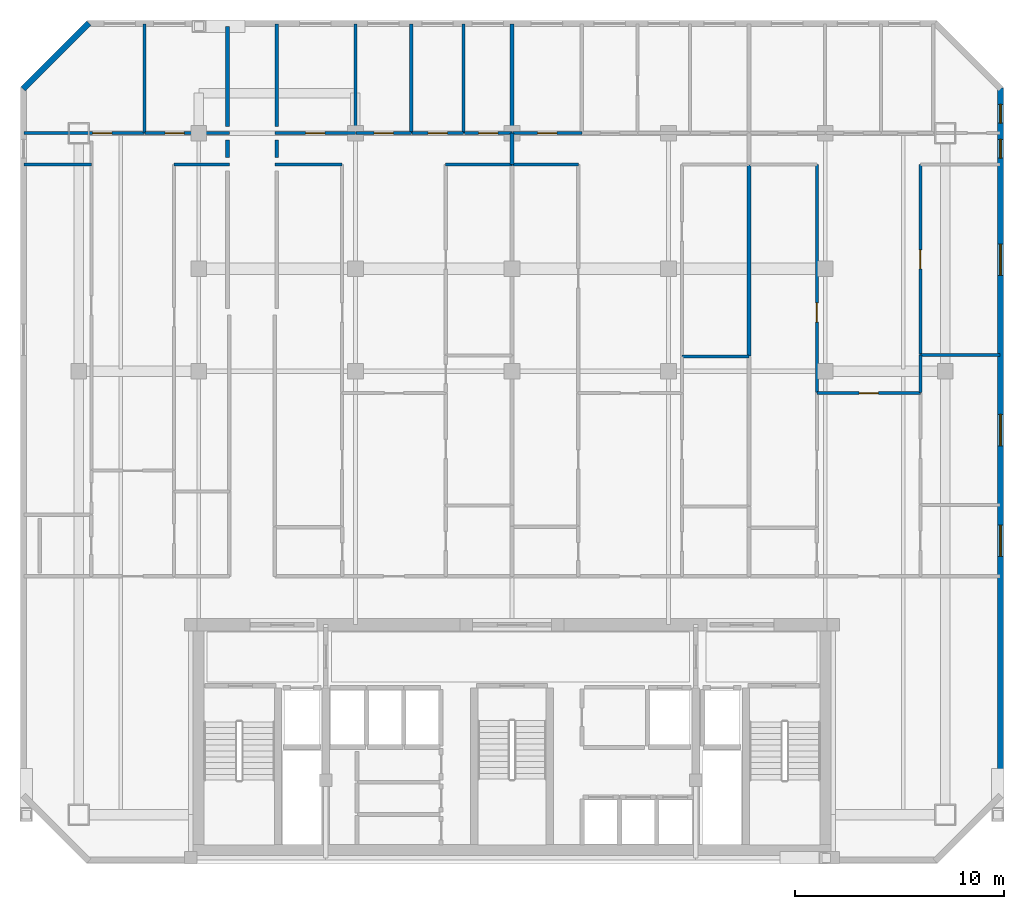
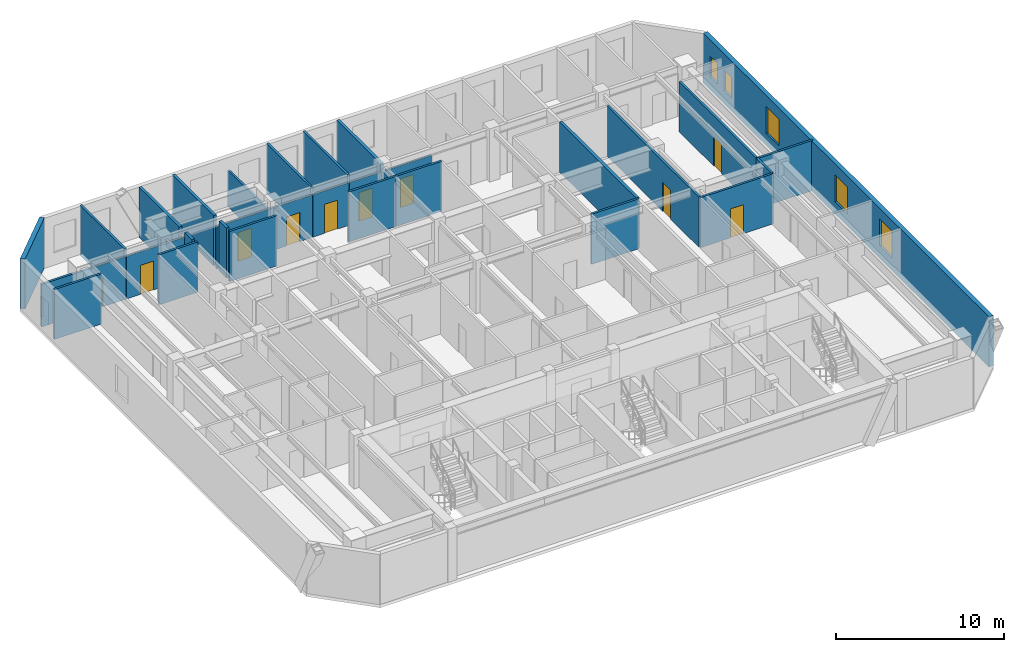
# One storey, part 6 of 9: 31 walls, 10 doors, 5 windows, 15 openings.
"""IFC4 building model written with IfcOpenShell, lengths in metres."""

from ifc_helpers import new_model, si_unit, direction, frame, frame_2d, origin, place, context, subcontext, project, spatial, rectangle, extrude, material, layer, layer_set, type_object, element, fill, save


model = new_model("IFC4")

# Units and contexts
model_context = context("Model", 3, precision=1e-05, world=origin(), true_north=direction((0.0, 1.0)))
body_context = subcontext(model_context, "Body", "Model", "MODEL_VIEW")
ifc_project = project(units=[si_unit("LENGTHUNIT", "METRE"), si_unit("AREAUNIT", "SQUARE_METRE"), si_unit("VOLUMEUNIT", "CUBIC_METRE"), si_unit("PLANEANGLEUNIT", "RADIAN"), si_unit("MASSUNIT", "GRAM", prefix="KILO")], contexts=[model_context])

# Site, building, storey
site_placement = place(None, origin())
site = spatial("IfcSite", under=ifc_project, at=site_placement, CompositionType="ELEMENT")
building_placement = place(site_placement, origin())
building = spatial("IfcBuilding", under=site, at=building_placement, Name="Ventersveld Concourse Tower", CompositionType="ELEMENT")
storey_placement = place(building_placement, frame((0.0, 0.0, 215.699951171875)))
storey = spatial("IfcBuildingStorey", under=building, at=storey_placement, Name="L53", CompositionType="ELEMENT", Elevation=215.699951171875)

# Walls
ifc_material_1 = material(Name="Fire-rated autoclaved aerated masonry blockwork", Category="masonry")
ifc_layer_1 = layer(ifc_material_1, 0.179931640625)
ifc_layer_set_1 = layer_set([ifc_layer_1], Name="Fire-rated autoclaved aerated masonry blockwork")
wall_type_1 = type_object("IfcWallType", Name="WL-CORR-180", PredefinedType="PARTITIONING", material=ifc_layer_set_1)
wall_1_placement = place(storey_placement, frame((15.1201171875, 34.675048828125, 0.0), z_axis=(0.0, 0.0, 1.0), x_axis=(0.0, -1.0, 0.0)))
element("IfcWall", 1, at=wall_1_placement, inside=storey, type_object=wall_type_1, Name="L53 Room Enclosure Wall SP-L53-53NW-LIV", PredefinedType="PARTITIONING", context=body_context, shape_type="SweptSolid", body=[
    extrude(rectangle(XDim=0.85009765625, YDim=0.179931640625, at=frame_2d((0.425048828125, 0.0))), origin(), (0.0, 0.0, 1.0), 3.630126953125),
])
wall_2_placement = place(storey_placement, frame((15.1201171875, 40.10205078125, 0.0), z_axis=(0.0, 0.0, 1.0), x_axis=(0.0, -1.0, 0.0)))
element("IfcWall", 2, at=wall_2_placement, inside=storey, type_object=wall_type_1, Name="L53 Room Enclosure Wall SP-L53-53NW-BR2", PredefinedType="PARTITIONING", context=body_context, shape_type="SweptSolid", body=[
    extrude(rectangle(XDim=4.777099609375, YDim=0.179931640625, at=frame_2d((2.388671875, 0.0))), origin(), (0.0, 0.0, 1.0), 3.630126953125),
])
wall_3_placement = place(storey_placement, frame((17.47998046875, 33.824951171875, 0.0), z_axis=(0.0, 0.0, 1.0), x_axis=(0.0, 1.0, 0.0)))
element("IfcWall", 3, at=wall_3_placement, inside=storey, type_object=wall_type_1, Name="L53 Room Enclosure Wall SP-L53-53N1-LIV", PredefinedType="PARTITIONING", context=body_context, shape_type="SweptSolid", body=[
    extrude(rectangle(XDim=0.85009765625, YDim=0.179931640625, at=frame_2d((0.425048828125, 0.0))), origin(), (0.0, 0.0, 1.0), 3.630126953125),
])
wall_4_placement = place(storey_placement, frame((17.47998046875, 35.324951171875, 0.0), z_axis=(0.0, 0.0, 1.0), x_axis=(0.0, 1.0, 0.0)))
element("IfcWall", 4, at=wall_4_placement, inside=storey, type_object=wall_type_1, Name="L53 Room Enclosure Wall SP-L53-53N1-BR1", PredefinedType="PARTITIONING", context=body_context, shape_type="SweptSolid", body=[
    extrude(rectangle(XDim=4.902587890625, YDim=0.179931640625, at=frame_2d((2.451171875, 0.0))), origin(), (0.0, 0.0, 1.0), 3.630126953125),
])
ifc_layer_2 = layer(ifc_material_1, 0.199951171875)
ifc_layer_set_2 = layer_set([ifc_layer_2], Name="Fire-rated autoclaved aerated masonry blockwork")
wall_type_2 = type_object("IfcWallType", Name="WL-DEMISE-200", PredefinedType="PARTITIONING", material=ifc_layer_set_2)
wall_5_placement = place(storey_placement, frame((28.75, 33.4951171875, 0.0), z_axis=(0.0, 0.0, 1.0), x_axis=(0.0, 1.0, 0.0)))
element("IfcWall", 5, at=wall_5_placement, inside=storey, type_object=wall_type_2, Name="L53 Interior Partition SP-L53-53N1-LIV-SP-L53-53N2-LIV", PredefinedType="PARTITIONING", context=body_context, shape_type="SweptSolid", body=[
    extrude(rectangle(XDim=1.509765625, YDim=0.199951171875, at=frame_2d((0.7548828125, 0.0))), origin(), (0.0, 0.0, 1.0), 3.2236328125),
])
wall_6_placement = place(storey_placement, frame((28.75, 35.034912109375, 0.0), z_axis=(0.0, 0.0, 1.0), x_axis=(0.0, 1.0, 0.0)))
element("IfcWall", 6, at=wall_6_placement, inside=storey, type_object=wall_type_2, Name="L53 Interior Partition SP-L53-53N1-BR4-SP-L53-53N2-BR1", PredefinedType="PARTITIONING", context=body_context, shape_type="SweptSolid", body=[
    extrude(rectangle(XDim=5.192626953125, YDim=0.199951171875, at=frame_2d((2.59619140625, 0.0))), origin(), (0.0, 0.0, 1.0), 3.630126953125),
])
wall_7_placement = place(storey_placement, frame((40.110107421875, 24.326171875, 0.0), z_axis=(0.0, 0.0, 1.0), x_axis=(0.0, 1.0, 0.0)))
element("IfcWall", 7, at=wall_7_placement, inside=storey, type_object=wall_type_2, Name="L53 Interior Partition SP-L53-53N2-DENS-SP-L53-53N3-SEML0", PredefinedType="PARTITIONING", context=body_context, shape_type="SweptSolid", body=[
    extrude(rectangle(XDim=9.138916015625, YDim=0.199951171875, at=frame_2d((4.5693359375, 0.0))), origin(), (0.0, 0.0, 1.0), 3.630126953125),
])
ifc_material_2 = material(Name="Autoclaved aerated masonry blockwork", Category="masonry")
ifc_layer_3 = layer(ifc_material_2, 0.14990234375)
ifc_layer_set_3 = layer_set([ifc_layer_3], Name="Autoclaved aerated masonry blockwork")
wall_type_3 = type_object("IfcWallType", Name="WL-INT-150", PredefinedType="PARTITIONING", material=ifc_layer_set_3)
wall_8_placement = place(storey_placement, frame((5.37255859375, 33.5, 0.0), z_axis=(0.0, 0.0, 1.0), x_axis=(1.0, 0.0, 0.0)))
element("IfcWall", 8, at=wall_8_placement, inside=storey, type_object=wall_type_3, Name="L53 Interior Partition SP-L53-53NW-LIV-SP-L53-53NW-OFFL0", PredefinedType="PARTITIONING", context=body_context, shape_type="SweptSolid", body=[
    extrude(rectangle(XDim=3.235107421875, YDim=0.14990234375, at=frame_2d((1.61767578125, 0.0))), origin(), (0.0, 0.0, 1.0), 3.630126953125),
])
wall_9_placement = place(storey_placement, frame((12.5576171875, 33.5, 0.0), z_axis=(0.0, 0.0, 1.0), x_axis=(1.0, 0.0, 0.0)))
element("IfcWall", 9, at=wall_9_placement, inside=storey, type_object=wall_type_3, Name="L53 Interior Partition SP-L53-53NW-LIV-SP-L53-53NW-SEMR1", PredefinedType="PARTITIONING", context=body_context, shape_type="SweptSolid", body=[
    extrude(rectangle(XDim=2.657470703125, YDim=0.14990234375, at=frame_2d((1.32861328125, 0.0))), origin(), (0.0, 0.0, 1.0), 3.630126953125),
])

# Wall, opening, door
wall_10_placement = place(storey_placement, frame((5.37255859375, 35.0, 0.0), z_axis=(0.0, 0.0, 1.0), x_axis=(1.0, 0.0, 0.0)))
wall_10 = element("IfcWall", 10, at=wall_10_placement, inside=storey, type_object=wall_type_3, Name="L53 Interior Partition SP-L53-53NW-LIV-SP-L53-53NW-BR1", PredefinedType="PARTITIONING", context=body_context, shape_type="SweptSolid", body=[
    extrude(rectangle(XDim=5.771240234375, YDim=0.14990234375, at=frame_2d((2.8857421875, 0.0))), origin(), (0.0, 0.0, 1.0), 3.08544921875),
])
opening_1_placement = place(wall_10_placement, frame((3.291259765625, 0.0, 0.0)))
opening_1 = element("IfcOpeningElement", 11, at=opening_1_placement, cuts=wall_10, Name="Opening ID1", PredefinedType="OPENING", context=body_context, shape_type="SweptSolid", body=[
    extrude(rectangle(XDim=0.919921875, YDim=2.10009765625, at=frame_2d((0.4599609375, 1.050048828125))), frame((0.0, 0.0849609375, 0.0), z_axis=(0.0, -1.0, 0.0), x_axis=(1.0, 0.0, 0.0)), (0.0, 0.0, 1.0), 0.169921875),
])
ifc_material_3 = material(Name="Solid-core hardwood veneer timber", Category="wood")
door_type = type_object("IfcDoorType", Name="DR-ROOM-092", OperationType="NOTDEFINED", PredefinedType="DOOR", material=ifc_material_3)
door_1_placement = place(opening_1_placement, origin())
door_1 = element("IfcDoor", 12, at=door_1_placement, inside=storey, type_object=door_type, Name="L53 Interior Door SP-L53-53NW-LIV to SP-L53-53NW-BR1 (D-L53-2575)", OperationType="SINGLE_SWING_LEFT", OverallHeight=2.10009765625, OverallWidth=0.919921875, PredefinedType="DOOR", context=body_context, shape_type="SweptSolid", body=[
    extrude(rectangle(XDim=0.919921875, YDim=2.10009765625, at=frame_2d((0.4599609375, 1.050048828125))), frame((0.0, 0.02490234375, 0.0), z_axis=(0.0, -1.0, 0.0), x_axis=(1.0, 0.0, 0.0)), (0.0, 0.0, 1.0), 0.050048828125),
])
fill(opening_1, door_1)

wall_11_placement = place(storey_placement, frame((11.173828125, 35.0, 0.0), z_axis=(0.0, 0.0, 1.0), x_axis=(1.0, 0.0, 0.0)))
wall_11 = element("IfcWall", 13, at=wall_11_placement, inside=storey, type_object=wall_type_3, Name="L53 Interior Partition SP-L53-53NW-LIV-SP-L53-53NW-BR2", PredefinedType="PARTITIONING", context=body_context, shape_type="SweptSolid", body=[
    extrude(rectangle(XDim=4.041259765625, YDim=0.14990234375, at=frame_2d((2.0205078125, 0.0))), origin(), (0.0, 0.0, 1.0), 3.08544921875),
])
opening_2_placement = place(wall_11_placement, frame((0.954345703125, 0.0, 0.0)))
opening_2 = element("IfcOpeningElement", 14, at=opening_2_placement, cuts=wall_11, Name="Opening ID1", PredefinedType="OPENING", context=body_context, shape_type="SweptSolid", body=[
    extrude(rectangle(XDim=0.919921875, YDim=2.10009765625, at=frame_2d((0.4599609375, 1.050048828125))), frame((0.0, 0.0849609375, 0.0), z_axis=(0.0, -1.0, 0.0), x_axis=(1.0, 0.0, 0.0)), (0.0, 0.0, 1.0), 0.169921875),
])
door_2_placement = place(opening_2_placement, origin())
door_2 = element("IfcDoor", 15, at=door_2_placement, inside=storey, type_object=door_type, Name="L53 Interior Door SP-L53-53NW-LIV to SP-L53-53NW-BR2 (D-L53-2576)", OperationType="SINGLE_SWING_RIGHT", OverallHeight=2.10009765625, OverallWidth=0.919921875, PredefinedType="DOOR", context=body_context, shape_type="SweptSolid", body=[
    extrude(rectangle(XDim=0.919921875, YDim=2.10009765625, at=frame_2d((0.4599609375, 1.050048828125))), frame((0.0, 0.02490234375, 0.0), z_axis=(0.0, -1.0, 0.0), x_axis=(1.0, 0.0, 0.0)), (0.0, 0.0, 1.0), 0.050048828125),
])
fill(opening_2, door_2)

# Walls
wall_12_placement = place(storey_placement, frame((11.138916015625, 34.9951171875, 0.0), z_axis=(0.0, 0.0, 1.0), x_axis=(0.0, 1.0, 0.0)))
element("IfcWall", 16, at=wall_12_placement, inside=storey, type_object=wall_type_3, Name="L53 Interior Partition SP-L53-53NW-BR1-SP-L53-53NW-BR2", PredefinedType="PARTITIONING", context=body_context, shape_type="SweptSolid", body=[
    extrude(rectangle(XDim=5.232421875, YDim=0.14990234375, at=frame_2d((2.6162109375, 0.0))), origin(), (0.0, 0.0, 1.0), 3.630126953125),
])
wall_13_placement = place(storey_placement, frame((17.385009765625, 33.5, 0.0), z_axis=(0.0, 0.0, 1.0), x_axis=(1.0, 0.0, 0.0)))
element("IfcWall", 17, at=wall_13_placement, inside=storey, type_object=wall_type_3, Name="L53 Interior Partition SP-L53-53N1-LIV-SP-L53-53N1-OFFL0", PredefinedType="PARTITIONING", context=body_context, shape_type="SweptSolid", body=[
    extrude(rectangle(XDim=3.23193359375, YDim=0.14990234375, at=frame_2d((1.615966796875, 0.0))), origin(), (0.0, 0.0, 1.0), 3.630126953125),
])
wall_14_placement = place(storey_placement, frame((25.569580078125, 33.5, 0.0), z_axis=(0.0, 0.0, 1.0), x_axis=(1.0, 0.0, 0.0)))
element("IfcWall", 18, at=wall_14_placement, inside=storey, type_object=wall_type_3, Name="L53 Interior Partition SP-L53-53N1-LIV-SP-L53-53N1-DENS", PredefinedType="PARTITIONING", context=body_context, shape_type="SweptSolid", body=[
    extrude(rectangle(XDim=3.185302734375, YDim=0.14990234375, at=frame_2d((1.5927734375, 0.0))), origin(), (0.0, 0.0, 1.0), 3.630126953125),
])

# Wall, opening, door
wall_15_placement = place(storey_placement, frame((17.385009765625, 35.0, 0.0), z_axis=(0.0, 0.0, 1.0), x_axis=(1.0, 0.0, 0.0)))
wall_15 = element("IfcWall", 19, at=wall_15_placement, inside=storey, type_object=wall_type_3, Name="L53 Interior Partition SP-L53-53N1-LIV-SP-L53-53N1-BR1", PredefinedType="PARTITIONING", context=body_context, shape_type="SweptSolid", body=[
    extrude(rectangle(XDim=3.869873046875, YDim=0.14990234375, at=frame_2d((1.93505859375, 0.0))), origin(), (0.0, 0.0, 1.0), 3.08544921875),
])
opening_3_placement = place(wall_15_placement, frame((1.47509765625, 0.0, 0.0)))
opening_3 = element("IfcOpeningElement", 20, at=opening_3_placement, cuts=wall_15, Name="Opening ID1", PredefinedType="OPENING", context=body_context, shape_type="SweptSolid", body=[
    extrude(rectangle(XDim=0.919921875, YDim=2.10009765625, at=frame_2d((0.4599609375, 1.050048828125))), frame((0.0, 0.0849609375, 0.0), z_axis=(0.0, -1.0, 0.0), x_axis=(1.0, 0.0, 0.0)), (0.0, 0.0, 1.0), 0.169921875),
])
door_3_placement = place(opening_3_placement, origin())
door_3 = element("IfcDoor", 21, at=door_3_placement, inside=storey, type_object=door_type, Name="L53 Interior Door SP-L53-53N1-LIV to SP-L53-53N1-BR1 (D-L53-2585)", OperationType="SINGLE_SWING_LEFT", OverallHeight=2.10009765625, OverallWidth=0.919921875, PredefinedType="DOOR", context=body_context, shape_type="SweptSolid", body=[
    extrude(rectangle(XDim=0.919921875, YDim=2.10009765625, at=frame_2d((0.4599609375, 1.050048828125))), frame((0.0, 0.02490234375, 0.0), z_axis=(0.0, -1.0, 0.0), x_axis=(1.0, 0.0, 0.0)), (0.0, 0.0, 1.0), 0.050048828125),
])
fill(opening_3, door_3)

wall_16_placement = place(storey_placement, frame((21.284912109375, 35.0, 0.0), z_axis=(0.0, 0.0, 1.0), x_axis=(1.0, 0.0, 0.0)))
wall_16 = element("IfcWall", 22, at=wall_16_placement, inside=storey, type_object=wall_type_3, Name="L53 Interior Partition SP-L53-53N1-LIV-SP-L53-53N1-BR2", PredefinedType="PARTITIONING", context=body_context, shape_type="SweptSolid", body=[
    extrude(rectangle(XDim=2.643798828125, YDim=0.14990234375, at=frame_2d((1.32177734375, 0.0))), origin(), (0.0, 0.0, 1.0), 3.08544921875),
])
opening_4_placement = place(wall_16_placement, frame((0.86181640625, 0.0, 0.0)))
opening_4 = element("IfcOpeningElement", 23, at=opening_4_placement, cuts=wall_16, Name="Opening ID1", PredefinedType="OPENING", context=body_context, shape_type="SweptSolid", body=[
    extrude(rectangle(XDim=0.919921875, YDim=2.10009765625, at=frame_2d((0.4599609375, 1.050048828125))), frame((0.0, 0.0849609375, 0.0), z_axis=(0.0, -1.0, 0.0), x_axis=(1.0, 0.0, 0.0)), (0.0, 0.0, 1.0), 0.169921875),
])
door_4_placement = place(opening_4_placement, origin())
door_4 = element("IfcDoor", 24, at=door_4_placement, inside=storey, type_object=door_type, Name="L53 Interior Door SP-L53-53N1-LIV to SP-L53-53N1-BR2 (D-L53-2586)", OperationType="SINGLE_SWING_RIGHT", OverallHeight=2.10009765625, OverallWidth=0.919921875, PredefinedType="DOOR", context=body_context, shape_type="SweptSolid", body=[
    extrude(rectangle(XDim=0.919921875, YDim=2.10009765625, at=frame_2d((0.4599609375, 1.050048828125))), frame((0.0, 0.02490234375, 0.0), z_axis=(0.0, -1.0, 0.0), x_axis=(1.0, 0.0, 0.0)), (0.0, 0.0, 1.0), 0.050048828125),
])
fill(opening_4, door_4)

wall_17_placement = place(storey_placement, frame((23.958740234375, 35.0, 0.0), z_axis=(0.0, 0.0, 1.0), x_axis=(1.0, 0.0, 0.0)))
wall_17 = element("IfcWall", 25, at=wall_17_placement, inside=storey, type_object=wall_type_3, Name="L53 Interior Partition SP-L53-53N1-LIV-SP-L53-53N1-BR3", PredefinedType="PARTITIONING", context=body_context, shape_type="SweptSolid", body=[
    extrude(rectangle(XDim=2.4775390625, YDim=0.14990234375, at=frame_2d((1.23876953125, 0.0))), origin(), (0.0, 0.0, 1.0), 3.08544921875),
])
opening_5_placement = place(wall_17_placement, frame((0.77880859375, 0.0, 0.0)))
opening_5 = element("IfcOpeningElement", 26, at=opening_5_placement, cuts=wall_17, Name="Opening ID1", PredefinedType="OPENING", context=body_context, shape_type="SweptSolid", body=[
    extrude(rectangle(XDim=0.919921875, YDim=2.10009765625, at=frame_2d((0.4599609375, 1.050048828125))), frame((0.0, 0.0849609375, 0.0), z_axis=(0.0, -1.0, 0.0), x_axis=(1.0, 0.0, 0.0)), (0.0, 0.0, 1.0), 0.169921875),
])
door_5_placement = place(opening_5_placement, origin())
door_5 = element("IfcDoor", 27, at=door_5_placement, inside=storey, type_object=door_type, Name="L53 Interior Door SP-L53-53N1-LIV to SP-L53-53N1-BR3 (D-L53-2587)", OperationType="SINGLE_SWING_LEFT", OverallHeight=2.10009765625, OverallWidth=0.919921875, PredefinedType="DOOR", context=body_context, shape_type="SweptSolid", body=[
    extrude(rectangle(XDim=0.919921875, YDim=2.10009765625, at=frame_2d((0.4599609375, 1.050048828125))), frame((0.0, 0.02490234375, 0.0), z_axis=(0.0, -1.0, 0.0), x_axis=(1.0, 0.0, 0.0)), (0.0, 0.0, 1.0), 0.050048828125),
])
fill(opening_5, door_5)

wall_18_placement = place(storey_placement, frame((26.46630859375, 35.0, 0.0), z_axis=(0.0, 0.0, 1.0), x_axis=(1.0, 0.0, 0.0)))
wall_18 = element("IfcWall", 28, at=wall_18_placement, inside=storey, type_object=wall_type_3, Name="L53 Interior Partition SP-L53-53N1-LIV-SP-L53-53N1-BR4", PredefinedType="PARTITIONING", context=body_context, shape_type="SweptSolid", body=[
    extrude(rectangle(XDim=2.28857421875, YDim=0.14990234375, at=frame_2d((1.144287109375, 0.0))), origin(), (0.0, 0.0, 1.0), 3.08544921875),
])
opening_6_placement = place(wall_18_placement, frame((0.684326171875, 0.0, 0.0)))
opening_6 = element("IfcOpeningElement", 29, at=opening_6_placement, cuts=wall_18, Name="Opening ID1", PredefinedType="OPENING", context=body_context, shape_type="SweptSolid", body=[
    extrude(rectangle(XDim=0.919921875, YDim=2.10009765625, at=frame_2d((0.4599609375, 1.050048828125))), frame((0.0, 0.0849609375, 0.0), z_axis=(0.0, -1.0, 0.0), x_axis=(1.0, 0.0, 0.0)), (0.0, 0.0, 1.0), 0.169921875),
])
door_6_placement = place(opening_6_placement, origin())
door_6 = element("IfcDoor", 30, at=door_6_placement, inside=storey, type_object=door_type, Name="L53 Interior Door SP-L53-53N1-LIV to SP-L53-53N1-BR4 (D-L53-2588)", OperationType="SINGLE_SWING_RIGHT", OverallHeight=2.10009765625, OverallWidth=0.919921875, PredefinedType="DOOR", context=body_context, shape_type="SweptSolid", body=[
    extrude(rectangle(XDim=0.919921875, YDim=2.10009765625, at=frame_2d((0.4599609375, 1.050048828125))), frame((0.0, 0.02490234375, 0.0), z_axis=(0.0, -1.0, 0.0), x_axis=(1.0, 0.0, 0.0)), (0.0, 0.0, 1.0), 0.050048828125),
])
fill(opening_6, door_6)

# Walls
wall_19_placement = place(storey_placement, frame((21.25, 34.9951171875, 0.0), z_axis=(0.0, 0.0, 1.0), x_axis=(0.0, 1.0, 0.0)))
element("IfcWall", 31, at=wall_19_placement, inside=storey, type_object=wall_type_3, Name="L53 Interior Partition SP-L53-53N1-BR1-SP-L53-53N1-BR2", PredefinedType="PARTITIONING", context=body_context, shape_type="SweptSolid", body=[
    extrude(rectangle(XDim=5.232421875, YDim=0.14990234375, at=frame_2d((2.6162109375, 0.0))), origin(), (0.0, 0.0, 1.0), 2.630126953125),
])
for number, where, z_axis, x_axis, name in (
    (32, (23.923583984375, 34.9951171875, 0.0), (0.0, 0.0, 1.0), (0.0, 1.0, 0.0), "L53 Interior Partition SP-L53-53N1-BR2-SP-L53-53N1-BR3"),
    (33, (26.43115234375, 34.9951171875, 0.0), (0.0, 0.0, 1.0), (0.0, 1.0, 0.0), "L53 Interior Partition SP-L53-53N1-BR3-SP-L53-53N1-BR4"),
):
    element("IfcWall", number, at=place(storey_placement, frame(where, z_axis=z_axis, x_axis=x_axis)), inside=storey, type_object=wall_type_3, Name=name, PredefinedType="PARTITIONING", context=body_context, shape_type="SweptSolid", body=[
        extrude(rectangle(XDim=5.232421875, YDim=0.14990234375, at=frame_2d((2.6162109375, 0.0))), origin(), (0.0, 0.0, 1.0), 3.630126953125),
    ])
wall_20_placement = place(storey_placement, frame((28.784912109375, 33.5, 0.0), z_axis=(0.0, 0.0, 1.0), x_axis=(1.0, 0.0, 0.0)))
element("IfcWall", 34, at=wall_20_placement, inside=storey, type_object=wall_type_3, Name="L53 Interior Partition SP-L53-53N2-LIV-SP-L53-53N2-OFFL0", PredefinedType="PARTITIONING", context=body_context, shape_type="SweptSolid", body=[
    extrude(rectangle(XDim=3.1455078125, YDim=0.14990234375, at=frame_2d((1.57275390625, 0.0))), origin(), (0.0, 0.0, 1.0), 3.630126953125),
])

# Wall, opening, door
wall_21_placement = place(storey_placement, frame((28.784912109375, 35.0, 0.0), z_axis=(0.0, 0.0, 1.0), x_axis=(1.0, 0.0, 0.0)))
wall_21 = element("IfcWall", 35, at=wall_21_placement, inside=storey, type_object=wall_type_3, Name="L53 Interior Partition SP-L53-53N2-LIV-SP-L53-53N2-BR1", PredefinedType="PARTITIONING", context=body_context, shape_type="SweptSolid", body=[
    extrude(rectangle(XDim=3.308837890625, YDim=0.14990234375, at=frame_2d((1.654296875, 0.0))), origin(), (0.0, 0.0, 1.0), 3.08544921875),
])
opening_7_placement = place(wall_21_placement, frame((1.1943359375, 0.0, 0.0)))
opening_7 = element("IfcOpeningElement", 36, at=opening_7_placement, cuts=wall_21, Name="Opening ID1", PredefinedType="OPENING", context=body_context, shape_type="SweptSolid", body=[
    extrude(rectangle(XDim=0.919921875, YDim=2.10009765625, at=frame_2d((0.4599609375, 1.050048828125))), frame((0.0, 0.0849609375, 0.0), z_axis=(0.0, -1.0, 0.0), x_axis=(1.0, 0.0, 0.0)), (0.0, 0.0, 1.0), 0.169921875),
])
door_7_placement = place(opening_7_placement, origin())
door_7 = element("IfcDoor", 37, at=door_7_placement, inside=storey, type_object=door_type, Name="L53 Interior Door SP-L53-53N2-LIV to SP-L53-53N2-BR1 (D-L53-2597)", OperationType="SINGLE_SWING_LEFT", OverallHeight=2.10009765625, OverallWidth=0.919921875, PredefinedType="DOOR", context=body_context, shape_type="SweptSolid", body=[
    extrude(rectangle(XDim=0.919921875, YDim=2.10009765625, at=frame_2d((0.4599609375, 1.050048828125))), frame((0.0, 0.02490234375, 0.0), z_axis=(0.0, -1.0, 0.0), x_axis=(1.0, 0.0, 0.0)), (0.0, 0.0, 1.0), 0.050048828125),
])
fill(opening_7, door_7)

# Wall
wall_22_placement = place(storey_placement, frame((36.883056640625, 24.291015625, 0.0), z_axis=(0.0, 0.0, 1.0), x_axis=(1.0, 0.0, 0.0)))
element("IfcWall", 38, at=wall_22_placement, inside=storey, type_object=wall_type_3, Name="L53 Interior Partition SP-L53-53N2-DENR-SP-L53-53N2-DENS", PredefinedType="PARTITIONING", context=body_context, shape_type="SweptSolid", body=[
    extrude(rectangle(XDim=3.23193359375, YDim=0.14990234375, at=frame_2d((1.615966796875, 0.0))), origin(), (0.0, 0.0, 1.0), 3.630126953125),
])

# Wall, opening, door
wall_23_placement = place(storey_placement, frame((43.35009765625, 22.5478515625, 0.0), z_axis=(0.0, 0.0, 1.0), x_axis=(1.0, 0.0, 0.0)))
wall_23 = element("IfcWall", 39, at=wall_23_placement, inside=storey, type_object=wall_type_3, Name="L53 Interior Partition SP-L53-53N3-FOY-SP-L53-53N3-LIV", PredefinedType="PARTITIONING", context=body_context, shape_type="SweptSolid", body=[
    extrude(rectangle(XDim=4.972900390625, YDim=0.14990234375, at=frame_2d((2.486328125, 0.0))), origin(), (0.0, 0.0, 1.0), 3.630126953125),
])
opening_8_placement = place(wall_23_placement, frame((2.0263671875, 0.0, 0.0)))
opening_8 = element("IfcOpeningElement", 40, at=opening_8_placement, cuts=wall_23, Name="Opening ID1", PredefinedType="OPENING", context=body_context, shape_type="SweptSolid", body=[
    extrude(rectangle(XDim=0.919921875, YDim=2.10009765625, at=frame_2d((0.4599609375, 1.050048828125))), frame((0.0, 0.0849609375, 0.0), z_axis=(0.0, -1.0, 0.0), x_axis=(1.0, 0.0, 0.0)), (0.0, 0.0, 1.0), 0.169921875),
])
door_8_placement = place(opening_8_placement, origin())
door_8 = element("IfcDoor", 41, at=door_8_placement, inside=storey, type_object=door_type, Name="L53 Interior Door SP-L53-53N3-FOY to SP-L53-53N3-LIV (D-L53-2601)", OperationType="SINGLE_SWING_LEFT", OverallHeight=2.10009765625, OverallWidth=0.919921875, PredefinedType="DOOR", context=body_context, shape_type="SweptSolid", body=[
    extrude(rectangle(XDim=0.919921875, YDim=2.10009765625, at=frame_2d((0.4599609375, 1.050048828125))), frame((0.0, 0.02490234375, 0.0), z_axis=(0.0, -1.0, 0.0), x_axis=(1.0, 0.0, 0.0)), (0.0, 0.0, 1.0), 0.050048828125),
])
fill(opening_8, door_8)

wall_24_placement = place(storey_placement, frame((43.35498046875, 22.5830078125, 0.0), z_axis=(0.0, 0.0, 1.0), x_axis=(0.0, 1.0, 0.0)))
wall_24 = element("IfcWall", 42, at=wall_24_placement, inside=storey, type_object=wall_type_3, Name="L53 Interior Partition SP-L53-53N3-LIV-SP-L53-53N3-SEML0", PredefinedType="PARTITIONING", context=body_context, shape_type="SweptSolid", body=[
    extrude(rectangle(XDim=10.921875, YDim=0.14990234375, at=frame_2d((5.4609375, 0.0))), origin(), (0.0, 0.0, 1.0), 3.630126953125),
])
opening_9_placement = place(wall_24_placement, frame((3.36279296875, 0.0, 0.0)))
opening_9 = element("IfcOpeningElement", 43, at=opening_9_placement, cuts=wall_24, Name="Opening ID1", PredefinedType="OPENING", context=body_context, shape_type="SweptSolid", body=[
    extrude(rectangle(XDim=0.919921875, YDim=2.10009765625, at=frame_2d((0.4599609375, 1.050048828125))), frame((0.0, 0.0849609375, 0.0), z_axis=(0.0, -1.0, 0.0), x_axis=(1.0, 0.0, 0.0)), (0.0, 0.0, 1.0), 0.169921875),
])
door_9_placement = place(opening_9_placement, origin())
door_9 = element("IfcDoor", 44, at=door_9_placement, inside=storey, type_object=door_type, Name="L53 Interior Door SP-L53-53N3-LIV to SP-L53-53N3-SEML0 (D-L53-2606)", OperationType="SINGLE_SWING_RIGHT", OverallHeight=2.10009765625, OverallWidth=0.919921875, PredefinedType="DOOR", context=body_context, shape_type="SweptSolid", body=[
    extrude(rectangle(XDim=0.919921875, YDim=2.10009765625, at=frame_2d((0.4599609375, 1.050048828125))), frame((0.0, 0.02490234375, 0.0), z_axis=(0.0, -1.0, 0.0), x_axis=(1.0, 0.0, 0.0)), (0.0, 0.0, 1.0), 0.050048828125),
])
fill(opening_9, door_9)

# Wall
wall_25_placement = place(storey_placement, frame((48.31787109375, 22.5830078125, 0.0), z_axis=(0.0, 0.0, 1.0), x_axis=(0.0, 1.0, 0.0)))
element("IfcWall", 45, at=wall_25_placement, inside=storey, type_object=wall_type_3, Name="L53 Interior Partition SP-L53-53N3-LIV-SP-L53-53N3-DENR", PredefinedType="PARTITIONING", context=body_context, shape_type="SweptSolid", body=[
    extrude(rectangle(XDim=1.787109375, YDim=0.14990234375, at=frame_2d((0.8935546875, 0.0))), origin(), (0.0, 0.0, 1.0), 3.630126953125),
])

# Wall, opening, door
wall_26_placement = place(storey_placement, frame((48.31787109375, 24.400146484375, 0.0), z_axis=(0.0, 0.0, 1.0), x_axis=(0.0, 1.0, 0.0)))
wall_26 = element("IfcWall", 46, at=wall_26_placement, inside=storey, type_object=wall_type_3, Name="L53 Interior Partition SP-L53-53N3-LIV-SP-L53-53N3-DENS", PredefinedType="PARTITIONING", context=body_context, shape_type="SweptSolid", body=[
    extrude(rectangle(XDim=9.104736328125, YDim=0.14990234375, at=frame_2d((4.55224609375, 0.0))), origin(), (0.0, 0.0, 1.0), 3.630126953125),
])
opening_10_placement = place(wall_26_placement, frame((4.09228515625, 0.0, 0.0)))
opening_10 = element("IfcOpeningElement", 47, at=opening_10_placement, cuts=wall_26, Name="Opening ID1", PredefinedType="OPENING", context=body_context, shape_type="SweptSolid", body=[
    extrude(rectangle(XDim=0.919921875, YDim=2.10009765625, at=frame_2d((0.4599609375, 1.050048828125))), frame((0.0, 0.0849609375, 0.0), z_axis=(0.0, -1.0, 0.0), x_axis=(1.0, 0.0, 0.0)), (0.0, 0.0, 1.0), 0.169921875),
])
door_10_placement = place(opening_10_placement, origin())
door_10 = element("IfcDoor", 48, at=door_10_placement, inside=storey, type_object=door_type, Name="L53 Interior Door SP-L53-53N3-LIV to SP-L53-53N3-DENS (D-L53-2608)", OperationType="SINGLE_SWING_RIGHT", OverallHeight=2.10009765625, OverallWidth=0.919921875, PredefinedType="DOOR", context=body_context, shape_type="SweptSolid", body=[
    extrude(rectangle(XDim=0.919921875, YDim=2.10009765625, at=frame_2d((0.4599609375, 1.050048828125))), frame((0.0, 0.02490234375, 0.0), z_axis=(0.0, -1.0, 0.0), x_axis=(1.0, 0.0, 0.0)), (0.0, 0.0, 1.0), 0.050048828125),
])
fill(opening_10, door_10)

# Wall
wall_27_placement = place(storey_placement, frame((48.31298828125, 24.365234375, 0.0), z_axis=(0.0, 0.0, 1.0), x_axis=(1.0, 0.0, 0.0)))
element("IfcWall", 49, at=wall_27_placement, inside=storey, type_object=wall_type_3, Name="L53 Interior Partition SP-L53-53N3-DENR-SP-L53-53N3-DENS", PredefinedType="PARTITIONING", context=body_context, shape_type="SweptSolid", body=[
    extrude(rectangle(XDim=3.814453125, YDim=0.14990234375, at=frame_2d((1.9072265625, 0.0))), origin(), (0.0, 0.0, 1.0), 3.630126953125),
])

# Wall, openings, windows
ifc_material_4 = material(Name="Precast concrete C45/55", Category="concrete")
ifc_layer_4 = layer(ifc_material_4, 0.300048828125)
ifc_layer_set_4 = layer_set([ifc_layer_4], Name="Precast concrete C45/55")
wall_type_4 = type_object("IfcWallType", Name="WL-PREC-300", PredefinedType="SOLIDWALL", material=ifc_layer_set_4)
wall_28_placement = place(storey_placement, frame((52.14990234375, 3.239990234375, 0.0), z_axis=(0.0, 0.0, 1.0), x_axis=(0.0, 1.0, 0.0)))
wall_28 = element("IfcWall", 50, at=wall_28_placement, inside=storey, type_object=wall_type_4, Name="L53 Highveld Precast Facade Wall E03", PredefinedType="SOLIDWALL", context=body_context, shape_type="SweptSolid", body=[
    extrude(rectangle(XDim=33.919921875, YDim=0.300048828125, at=frame_2d((16.9599609375, 0.0))), origin(), (0.0, 0.0, 1.0), 3.630126953125),
])
opening_11_placement = place(wall_28_placement, frame((30.56005859375, 0.0, 0.949951171875)))
opening_11 = element("IfcOpeningElement", 51, at=opening_11_placement, cuts=wall_28, Name="Opening W4", PredefinedType="OPENING", context=body_context, shape_type="SweptSolid", body=[
    extrude(rectangle(XDim=0.89990234375, YDim=1.5, at=frame_2d((0.449951171875, 0.75))), frame((0.0, 0.16015625, 0.0), z_axis=(0.0, -1.0, 0.0), x_axis=(1.0, 0.0, 0.0)), (0.0, 0.0, 1.0), 0.320068359375),
])
opening_12_placement = place(wall_28_placement, frame((11.485107421875, 0.0, 0.89990234375)))
opening_12 = element("IfcOpeningElement", 52, at=opening_12_placement, cuts=wall_28, Name="Opening W1", PredefinedType="OPENING", context=body_context, shape_type="SweptSolid", body=[
    extrude(rectangle(XDim=1.5, YDim=1.949951171875, at=frame_2d((0.75, 0.97509765625))), frame((0.0, 0.16015625, 0.0), z_axis=(0.0, -1.0, 0.0), x_axis=(1.0, 0.0, 0.0)), (0.0, 0.0, 1.0), 0.320068359375),
])
opening_13_placement = place(wall_28_placement, frame((16.78271484375, 0.0, 0.89990234375)))
opening_13 = element("IfcOpeningElement", 53, at=opening_13_placement, cuts=wall_28, Name="Opening W1", PredefinedType="OPENING", context=body_context, shape_type="SweptSolid", body=[
    extrude(rectangle(XDim=1.5, YDim=1.949951171875, at=frame_2d((0.75, 0.97509765625))), frame((0.0, 0.16015625, 0.0), z_axis=(0.0, -1.0, 0.0), x_axis=(1.0, 0.0, 0.0)), (0.0, 0.0, 1.0), 0.320068359375),
])
opening_14_placement = place(wall_28_placement, frame((24.942626953125, 0.0, 0.89990234375)))
opening_14 = element("IfcOpeningElement", 54, at=opening_14_placement, cuts=wall_28, Name="Opening W1", PredefinedType="OPENING", context=body_context, shape_type="SweptSolid", body=[
    extrude(rectangle(XDim=1.5, YDim=1.949951171875, at=frame_2d((0.75, 0.97509765625))), frame((0.0, 0.16015625, 0.0), z_axis=(0.0, -1.0, 0.0), x_axis=(1.0, 0.0, 0.0)), (0.0, 0.0, 1.0), 0.320068359375),
])
opening_15_placement = place(wall_28_placement, frame((32.239990234375, 0.0, 0.949951171875)))
opening_15 = element("IfcOpeningElement", 55, at=opening_15_placement, cuts=wall_28, Name="Opening W4", PredefinedType="OPENING", context=body_context, shape_type="SweptSolid", body=[
    extrude(rectangle(XDim=0.89990234375, YDim=1.5, at=frame_2d((0.449951171875, 0.75))), frame((0.0, 0.16015625, 0.0), z_axis=(0.0, -1.0, 0.0), x_axis=(1.0, 0.0, 0.0)), (0.0, 0.0, 1.0), 0.320068359375),
])
ifc_material_5 = material(Name="Tempered acoustic Low-E IGU", Category="glass")
window_type_1 = type_object("IfcWindowType", Name="WIN-090x150", PartitioningType="SINGLE_PANEL", PredefinedType="WINDOW", material=ifc_material_5)
window_1_placement = place(opening_11_placement, origin())
window_1 = element("IfcWindow", 56, at=window_1_placement, inside=storey, type_object=window_type_1, Name="L53 Punched Low-E Window W-0758", OverallHeight=1.5, OverallWidth=0.89990234375, PartitioningType="SINGLE_PANEL", PredefinedType="WINDOW", context=body_context, shape_type="SweptSolid", body=[
    extrude(rectangle(XDim=0.89990234375, YDim=1.5, at=frame_2d((0.449951171875, 0.75))), frame((0.0, 0.030029296875, 0.0), z_axis=(0.0, -1.0, 0.0), x_axis=(1.0, 0.0, 0.0)), (0.0, 0.0, 1.0), 0.06005859375),
])
fill(opening_11, window_1)
window_2_placement = place(opening_15_placement, origin())
window_2 = element("IfcWindow", 57, at=window_2_placement, inside=storey, type_object=window_type_1, Name="L53 Punched Low-E Window W-0765", OverallHeight=1.5, OverallWidth=0.89990234375, PartitioningType="SINGLE_PANEL", PredefinedType="WINDOW", context=body_context, shape_type="SweptSolid", body=[
    extrude(rectangle(XDim=0.89990234375, YDim=1.5, at=frame_2d((0.449951171875, 0.75))), frame((0.0, 0.030029296875, 0.0), z_axis=(0.0, -1.0, 0.0), x_axis=(1.0, 0.0, 0.0)), (0.0, 0.0, 1.0), 0.06005859375),
])
fill(opening_15, window_2)
window_type_2 = type_object("IfcWindowType", Name="WIN-150x210", PartitioningType="SINGLE_PANEL", PredefinedType="WINDOW", material=ifc_material_5)
window_3_placement = place(opening_12_placement, origin())
window_3 = element("IfcWindow", 58, at=window_3_placement, inside=storey, type_object=window_type_2, Name="L53 Punched Low-E Window W-0759", OverallHeight=1.949951171875, OverallWidth=1.5, PartitioningType="SINGLE_PANEL", PredefinedType="WINDOW", context=body_context, shape_type="SweptSolid", body=[
    extrude(rectangle(XDim=1.5, YDim=1.949951171875, at=frame_2d((0.75, 0.97509765625))), frame((0.0, 0.030029296875, 0.0), z_axis=(0.0, -1.0, 0.0), x_axis=(1.0, 0.0, 0.0)), (0.0, 0.0, 1.0), 0.06005859375),
])
fill(opening_12, window_3)
window_4_placement = place(opening_13_placement, origin())
window_4 = element("IfcWindow", 59, at=window_4_placement, inside=storey, type_object=window_type_2, Name="L53 Punched Low-E Window W-0760", OverallHeight=1.949951171875, OverallWidth=1.5, PartitioningType="SINGLE_PANEL", PredefinedType="WINDOW", context=body_context, shape_type="SweptSolid", body=[
    extrude(rectangle(XDim=1.5, YDim=1.949951171875, at=frame_2d((0.75, 0.97509765625))), frame((0.0, 0.030029296875, 0.0), z_axis=(0.0, -1.0, 0.0), x_axis=(1.0, 0.0, 0.0)), (0.0, 0.0, 1.0), 0.06005859375),
])
fill(opening_13, window_4)
window_5_placement = place(opening_14_placement, origin())
window_5 = element("IfcWindow", 60, at=window_5_placement, inside=storey, type_object=window_type_2, Name="L53 Punched Low-E Window W-0761", OverallHeight=1.949951171875, OverallWidth=1.5, PartitioningType="SINGLE_PANEL", PredefinedType="WINDOW", context=body_context, shape_type="SweptSolid", body=[
    extrude(rectangle(XDim=1.5, YDim=1.949951171875, at=frame_2d((0.75, 0.97509765625))), frame((0.0, 0.030029296875, 0.0), z_axis=(0.0, -1.0, 0.0), x_axis=(1.0, 0.0, 0.0)), (0.0, 0.0, 1.0), 0.06005859375),
])
fill(opening_14, window_5)

# Wall
wall_29_placement = place(storey_placement, frame((8.477783203125, 40.265625, 0.0), z_axis=(0.0, 0.0, 1.0), x_axis=(-0.707106781187, -0.707106781187, 0.0)))
element("IfcWall", 61, at=wall_29_placement, inside=storey, type_object=wall_type_4, Name="L53 Highveld Precast Facade Wall E06", PredefinedType="SOLIDWALL", context=body_context, shape_type="SweptSolid", body=[
    extrude(rectangle(XDim=4.4453125, YDim=0.300048828125, at=frame_2d((2.22265625, 0.0))), origin(), (0.0, 0.0, 1.0), 3.630126953125),
])

save(model, "model.ifc")
